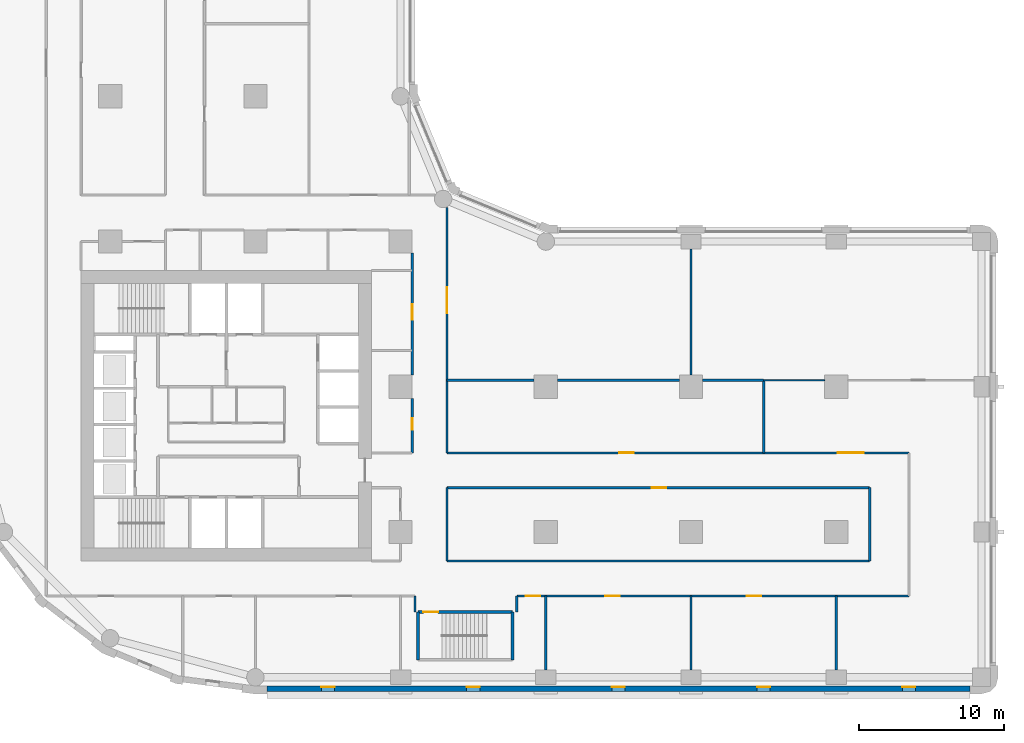
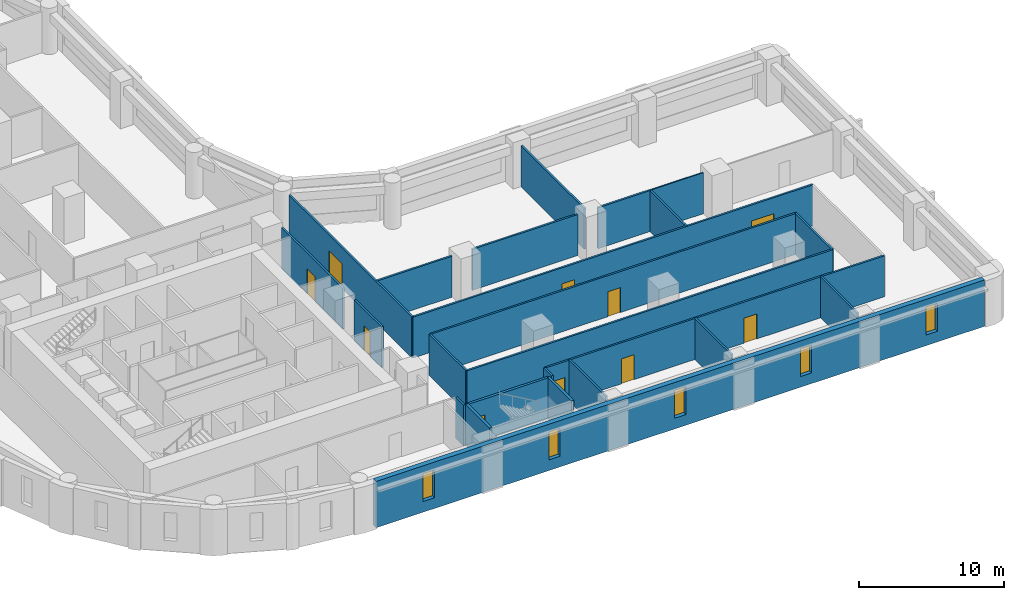
# One storey, part 4 of 10: 24 walls, 10 doors, 5 windows, 15 openings.
"""IFC4 building model written with IfcOpenShell, lengths in metres."""

from ifc_helpers import new_model, si_unit, direction, frame, frame_2d, origin, place, context, subcontext, project, spatial, rectangle, extrude, material, layer, layer_set, type_object, element, fill, save


model = new_model("IFC4")

# Units and contexts
model_context = context("Model", 3, precision=1e-05, world=origin(), true_north=direction((0.0, 1.0)))
body_context = subcontext(model_context, "Body", "Model", "MODEL_VIEW")
ifc_project = project(units=[si_unit("LENGTHUNIT", "METRE"), si_unit("AREAUNIT", "SQUARE_METRE"), si_unit("VOLUMEUNIT", "CUBIC_METRE"), si_unit("PLANEANGLEUNIT", "RADIAN"), si_unit("MASSUNIT", "GRAM", prefix="KILO")], contexts=[model_context])

# Site, building, storey
site_placement = place(None, origin())
site = spatial("IfcSite", under=ifc_project, at=site_placement, CompositionType="ELEMENT")
building_placement = place(site_placement, origin())
building = spatial("IfcBuilding", under=site, at=building_placement, Name="Qaws Garden Tower", CompositionType="ELEMENT")
storey_placement = place(building_placement, frame((0.0, 0.0, 113.39990234375)))
storey = spatial("IfcBuildingStorey", under=building, at=storey_placement, Name="L28", CompositionType="ELEMENT", Elevation=113.39990234375)

# Wall, openings, windows
ifc_material_1 = material(Name="Buff clay facing brick masonry", Category="masonry")
ifc_layer_1 = layer(ifc_material_1, 0.39990234375)
ifc_layer_set_1 = layer_set([ifc_layer_1], Name="Buff clay facing brick masonry")
wall_type_1 = type_object("IfcWallType", Name="Buff brick infill wall 400", PredefinedType="SOLIDWALL", material=ifc_layer_set_1)
wall_1_placement = place(storey_placement, frame((20.800048828125, -0.800048828125, 0.0), z_axis=(0.0, 0.0, 1.0), x_axis=(1.0, 0.0, 0.0)))
wall_1 = element("IfcWall", 1, at=wall_1_placement, inside=storey, type_object=wall_type_1, Name="E-L28-infill-00", PredefinedType="SOLIDWALL", context=body_context, shape_type="SweptSolid", body=[
    extrude(rectangle(XDim=48.39990234375, YDim=0.39990234375, at=frame_2d((24.199951171875, 0.0))), origin(), (0.0, 0.0, 1.0), 3.900146484375),
])
opening_1_placement = place(wall_1_placement, frame((3.75, 0.0, 0.89990234375)))
opening_1 = element("IfcOpeningElement", 2, at=opening_1_placement, cuts=wall_1, Name="Opening W09", PredefinedType="OPENING", context=body_context, shape_type="SweptSolid", body=[
    extrude(rectangle(XDim=0.89990234375, YDim=2.35009765625, at=frame_2d((0.449951171875, 1.175048828125))), frame((0.0, 0.2099609375, 0.0), z_axis=(0.0, -1.0, 0.0), x_axis=(1.0, 0.0, 0.0)), (0.0, 0.0, 1.0), 0.419921875),
])
opening_2_placement = place(wall_1_placement, frame((13.75, 0.0, 0.89990234375)))
opening_2 = element("IfcOpeningElement", 3, at=opening_2_placement, cuts=wall_1, Name="Opening W09", PredefinedType="OPENING", context=body_context, shape_type="SweptSolid", body=[
    extrude(rectangle(XDim=0.89990234375, YDim=2.35009765625, at=frame_2d((0.449951171875, 1.175048828125))), frame((0.0, 0.2099609375, 0.0), z_axis=(0.0, -1.0, 0.0), x_axis=(1.0, 0.0, 0.0)), (0.0, 0.0, 1.0), 0.419921875),
])
opening_3_placement = place(wall_1_placement, frame((23.75, 0.0, 0.89990234375)))
opening_3 = element("IfcOpeningElement", 4, at=opening_3_placement, cuts=wall_1, Name="Opening W09", PredefinedType="OPENING", context=body_context, shape_type="SweptSolid", body=[
    extrude(rectangle(XDim=0.89990234375, YDim=2.35009765625, at=frame_2d((0.449951171875, 1.175048828125))), frame((0.0, 0.2099609375, 0.0), z_axis=(0.0, -1.0, 0.0), x_axis=(1.0, 0.0, 0.0)), (0.0, 0.0, 1.0), 0.419921875),
])
opening_4_placement = place(wall_1_placement, frame((33.75, 0.0, 0.89990234375)))
opening_4 = element("IfcOpeningElement", 5, at=opening_4_placement, cuts=wall_1, Name="Opening W09", PredefinedType="OPENING", context=body_context, shape_type="SweptSolid", body=[
    extrude(rectangle(XDim=0.89990234375, YDim=2.35009765625, at=frame_2d((0.449951171875, 1.175048828125))), frame((0.0, 0.2099609375, 0.0), z_axis=(0.0, -1.0, 0.0), x_axis=(1.0, 0.0, 0.0)), (0.0, 0.0, 1.0), 0.419921875),
])
opening_5_placement = place(wall_1_placement, frame((43.75, 0.0, 0.89990234375)))
opening_5 = element("IfcOpeningElement", 6, at=opening_5_placement, cuts=wall_1, Name="Opening W09", PredefinedType="OPENING", context=body_context, shape_type="SweptSolid", body=[
    extrude(rectangle(XDim=0.89990234375, YDim=2.35009765625, at=frame_2d((0.449951171875, 1.175048828125))), frame((0.0, 0.2099609375, 0.0), z_axis=(0.0, -1.0, 0.0), x_axis=(1.0, 0.0, 0.0)), (0.0, 0.0, 1.0), 0.419921875),
])
ifc_material_2 = material(Name="Aluminium framed window, clear glazing", Category="aluminium")
window_type = type_object("IfcWindowType", Name="Slit window 900 x 2350", PartitioningType="SINGLE_PANEL", PredefinedType="WINDOW", material=ifc_material_2)
window_1_placement = place(opening_1_placement, origin())
window_1 = element("IfcWindow", 7, at=window_1_placement, inside=storey, type_object=window_type, Name="E-L28-window-00-0", OverallHeight=2.35009765625, OverallWidth=0.89990234375, PartitioningType="SINGLE_PANEL", PredefinedType="WINDOW", context=body_context, shape_type="SweptSolid", body=[
    extrude(rectangle(XDim=0.89990234375, YDim=2.35009765625, at=frame_2d((0.449951171875, 1.175048828125))), frame((0.0, 0.159912109375, 0.0), z_axis=(0.0, -1.0, 0.0), x_axis=(1.0, 0.0, 0.0)), (0.0, 0.0, 1.0), 0.06005859375),
])
fill(opening_1, window_1)
window_2_placement = place(opening_2_placement, origin())
window_2 = element("IfcWindow", 8, at=window_2_placement, inside=storey, type_object=window_type, Name="E-L28-window-01-0", OverallHeight=2.35009765625, OverallWidth=0.89990234375, PartitioningType="SINGLE_PANEL", PredefinedType="WINDOW", context=body_context, shape_type="SweptSolid", body=[
    extrude(rectangle(XDim=0.89990234375, YDim=2.35009765625, at=frame_2d((0.449951171875, 1.175048828125))), frame((0.0, 0.159912109375, 0.0), z_axis=(0.0, -1.0, 0.0), x_axis=(1.0, 0.0, 0.0)), (0.0, 0.0, 1.0), 0.06005859375),
])
fill(opening_2, window_2)
window_3_placement = place(opening_3_placement, origin())
window_3 = element("IfcWindow", 9, at=window_3_placement, inside=storey, type_object=window_type, Name="E-L28-window-02-0", OverallHeight=2.35009765625, OverallWidth=0.89990234375, PartitioningType="SINGLE_PANEL", PredefinedType="WINDOW", context=body_context, shape_type="SweptSolid", body=[
    extrude(rectangle(XDim=0.89990234375, YDim=2.35009765625, at=frame_2d((0.449951171875, 1.175048828125))), frame((0.0, 0.159912109375, 0.0), z_axis=(0.0, -1.0, 0.0), x_axis=(1.0, 0.0, 0.0)), (0.0, 0.0, 1.0), 0.06005859375),
])
fill(opening_3, window_3)
window_4_placement = place(opening_4_placement, origin())
window_4 = element("IfcWindow", 10, at=window_4_placement, inside=storey, type_object=window_type, Name="E-L28-window-03-0", OverallHeight=2.35009765625, OverallWidth=0.89990234375, PartitioningType="SINGLE_PANEL", PredefinedType="WINDOW", context=body_context, shape_type="SweptSolid", body=[
    extrude(rectangle(XDim=0.89990234375, YDim=2.35009765625, at=frame_2d((0.449951171875, 1.175048828125))), frame((0.0, 0.159912109375, 0.0), z_axis=(0.0, -1.0, 0.0), x_axis=(1.0, 0.0, 0.0)), (0.0, 0.0, 1.0), 0.06005859375),
])
fill(opening_4, window_4)
window_5_placement = place(opening_5_placement, origin())
window_5 = element("IfcWindow", 11, at=window_5_placement, inside=storey, type_object=window_type, Name="E-L28-window-04-0", OverallHeight=2.35009765625, OverallWidth=0.89990234375, PartitioningType="SINGLE_PANEL", PredefinedType="WINDOW", context=body_context, shape_type="SweptSolid", body=[
    extrude(rectangle(XDim=0.89990234375, YDim=2.35009765625, at=frame_2d((0.449951171875, 1.175048828125))), frame((0.0, 0.159912109375, 0.0), z_axis=(0.0, -1.0, 0.0), x_axis=(1.0, 0.0, 0.0)), (0.0, 0.0, 1.0), 0.06005859375),
])
fill(opening_5, window_5)

# Wall, opening, door
ifc_material_3 = material(Name="Concrete C80", Category="concrete")
ifc_layer_2 = layer(ifc_material_3, 0.199951171875)
ifc_layer_set_2 = layer_set([ifc_layer_2], Name="Concrete C80")
wall_type_2 = type_object("IfcWallType", Name="Core shaft wall 200 C80", PredefinedType="SHEAR", material=ifc_layer_set_2)
wall_2_placement = place(storey_placement, frame((31.199951171875, 4.5, 0.0), z_axis=(0.0, 0.0, 1.0), x_axis=(1.0, 0.0, 0.0)))
wall_2 = element("IfcWall", 12, at=wall_2_placement, inside=storey, type_object=wall_type_2, Name="Shaft wall", PredefinedType="SHEAR", context=body_context, shape_type="SweptSolid", body=[
    extrude(rectangle(XDim=6.5, YDim=0.199951171875, at=frame_2d((3.25, 0.0))), origin(), (0.0, 0.0, 1.0), 3.4501953125),
])
opening_6_placement = place(wall_2_placement, frame((0.375, 0.0, 0.0)))
opening_6 = element("IfcOpeningElement", 13, at=opening_6_placement, cuts=wall_2, Name="Opening SD12", PredefinedType="OPENING", context=body_context, shape_type="SweptSolid", body=[
    extrude(rectangle(XDim=1.0, YDim=2.10009765625, at=frame_2d((0.5, 1.050048828125))), frame((0.0, 0.10986328125, 0.0), z_axis=(0.0, -1.0, 0.0), x_axis=(1.0, 0.0, 0.0)), (0.0, 0.0, 1.0), 0.219970703125),
])
ifc_material_4 = material(Name="Steel S235", Category="steel")
door_type_1 = type_object("IfcDoorType", Name="Stair door 1000x2100", OperationType="SINGLE_SWING_RIGHT", PredefinedType="DOOR", material=ifc_material_4)
door_1_placement = place(opening_6_placement, frame((1.0, 0.0, 0.0), z_axis=(0.0, 0.0, 1.0), x_axis=(-1.0, 0.0, 0.0)))
door_1 = element("IfcDoor", 14, at=door_1_placement, inside=storey, type_object=door_type_1, Name="Stair 5 door", OperationType="SINGLE_SWING_RIGHT", OverallHeight=2.10009765625, OverallWidth=1.0, PredefinedType="DOOR", context=body_context, shape_type="SweptSolid", body=[
    extrude(rectangle(XDim=1.0, YDim=2.10009765625, at=frame_2d((0.5, 1.050048828125))), frame((0.0, 0.02490234375, 0.0), z_axis=(0.0, -1.0, 0.0), x_axis=(1.0, 0.0, 0.0)), (0.0, 0.0, 1.0), 0.050048828125),
])
fill(opening_6, door_1)

# Walls
for number, where, z_axis, x_axis, name in (
    (15, (31.199951171875, 1.199951171875, 0.0), (0.0, 0.0, 1.0), (0.0, 1.0, 0.0), "Shaft wall"),
    (16, (37.699951171875, 1.199951171875, 0.0), (0.0, 0.0, 1.0), (0.0, 1.0, 0.0), "Shaft wall"),
):
    element("IfcWall", number, at=place(storey_placement, frame(where, z_axis=z_axis, x_axis=x_axis)), inside=storey, type_object=wall_type_2, Name=name, PredefinedType="SHEAR", context=body_context, shape_type="SweptSolid", body=[
        extrude(rectangle(XDim=3.300048828125, YDim=0.199951171875, at=frame_2d((1.64990234375, 0.0))), origin(), (0.0, 0.0, 1.0), 3.4501953125),
    ])
ifc_material_5 = material(Name="Gypsum board partition")
ifc_layer_3 = layer(ifc_material_5, 0.10009765625)
ifc_layer_set_3 = layer_set([ifc_layer_3], Name="Gypsum board partition")
wall_type_3 = type_object("IfcWallType", Name="PARTITION 100", PredefinedType="PARTITIONING", material=ifc_layer_set_3)
wall_3_placement = place(storey_placement, frame((55.0, 20.449951171875, 0.0), z_axis=(0.0, 0.0, 1.0), x_axis=(1.0, 0.0, 0.0)))
element("IfcWall", 17, at=wall_3_placement, inside=storey, type_object=wall_type_3, Name="O-L28-wall-002", PredefinedType="PARTITIONING", context=body_context, shape_type="SweptSolid", body=[
    extrude(rectangle(XDim=4.199951171875, YDim=0.10009765625, at=frame_2d((2.10009765625, 0.0))), origin(), (0.0, 0.0, 1.0), 3.4501953125),
])

# Wall, opening, door
ifc_material_6 = material(Name="Gypsum board partition")
ifc_layer_4 = layer(ifc_material_6, 0.14990234375)
ifc_layer_set_4 = layer_set([ifc_layer_4], Name="Gypsum board partition")
wall_type_4 = type_object("IfcWallType", Name="PARTITION 150 EI 60", PredefinedType="PARTITIONING", material=ifc_layer_set_4)
wall_4_placement = place(storey_placement, frame((30.800048828125, 15.449951171875, 0.0), z_axis=(0.0, 0.0, 1.0), x_axis=(0.0, 1.0, 0.0)))
wall_4 = element("IfcWall", 18, at=wall_4_placement, inside=storey, type_object=wall_type_4, Name="O-L28-wall-023", PredefinedType="PARTITIONING", context=body_context, shape_type="SweptSolid", body=[
    extrude(rectangle(XDim=3.75, YDim=0.14990234375, at=frame_2d((1.875, 0.0))), origin(), (0.0, 0.0, 1.0), 3.4501953125),
])
opening_7_placement = place(wall_4_placement, frame((1.60009765625, 0.0, 0.0)))
opening_7 = element("IfcOpeningElement", 19, at=opening_7_placement, cuts=wall_4, Name="Opening A905", PredefinedType="OPENING", context=body_context, shape_type="SweptSolid", body=[
    extrude(rectangle(XDim=0.800048828125, YDim=2.10009765625, at=frame_2d((0.39990234375, 1.050048828125))), frame((0.0, 0.0849609375, 0.0), z_axis=(0.0, -1.0, 0.0), x_axis=(1.0, 0.0, 0.0)), (0.0, 0.0, 1.0), 0.169921875),
])
ifc_material_7 = material(Name="Timber door leaf", Category="wood")
door_type_2 = type_object("IfcDoorType", Name="STORE DOOR 800 X 2100", OperationType="SINGLE_SWING_LEFT", PredefinedType="DOOR", material=ifc_material_7)
door_2_placement = place(opening_7_placement, origin())
door_2 = element("IfcDoor", 20, at=door_2_placement, inside=storey, type_object=door_type_2, Name="O-L28-door-005", OperationType="SINGLE_SWING_RIGHT", OverallHeight=2.10009765625, OverallWidth=0.800048828125, PredefinedType="DOOR", context=body_context, shape_type="SweptSolid", body=[
    extrude(rectangle(XDim=0.800048828125, YDim=2.10009765625, at=frame_2d((0.39990234375, 1.050048828125))), frame((0.0, 0.02490234375, 0.0), z_axis=(0.0, -1.0, 0.0), x_axis=(1.0, 0.0, 0.0)), (0.0, 0.0, 1.0), 0.050048828125),
])
fill(opening_7, door_2)

wall_5_placement = place(storey_placement, frame((30.800048828125, 20.800048828125, 0.0), z_axis=(0.0, 0.0, 1.0), x_axis=(0.0, 1.0, 0.0)))
wall_5 = element("IfcWall", 21, at=wall_5_placement, inside=storey, type_object=wall_type_4, Name="O-L28-wall-024", PredefinedType="PARTITIONING", context=body_context, shape_type="SweptSolid", body=[
    extrude(rectangle(XDim=8.39990234375, YDim=0.14990234375, at=frame_2d((4.199951171875, 0.0))), origin(), (0.0, 0.0, 1.0), 3.4501953125),
])
opening_8_placement = place(wall_5_placement, frame((3.800048828125, 0.0, 0.0)))
opening_8 = element("IfcOpeningElement", 22, at=opening_8_placement, cuts=wall_5, Name="Opening A906", PredefinedType="OPENING", context=body_context, shape_type="SweptSolid", body=[
    extrude(rectangle(XDim=1.10009765625, YDim=2.10009765625, at=frame_2d((0.550048828125, 1.050048828125))), frame((0.0, 0.0849609375, 0.0), z_axis=(0.0, -1.0, 0.0), x_axis=(1.0, 0.0, 0.0)), (0.0, 0.0, 1.0), 0.169921875),
])
ifc_material_8 = material(Name="Timber door leaf", Category="wood")
door_type_3 = type_object("IfcDoorType", Name="SERVICE ROOM DOOR 1100 X 2100", OperationType="SINGLE_SWING_LEFT", PredefinedType="DOOR", material=ifc_material_8)
door_3_placement = place(opening_8_placement, origin())
door_3 = element("IfcDoor", 23, at=door_3_placement, inside=storey, type_object=door_type_3, Name="O-L28-door-006", OperationType="SINGLE_SWING_RIGHT", OverallHeight=2.10009765625, OverallWidth=1.10009765625, PredefinedType="DOOR", context=body_context, shape_type="SweptSolid", body=[
    extrude(rectangle(XDim=1.10009765625, YDim=2.10009765625, at=frame_2d((0.550048828125, 1.050048828125))), frame((0.0, 0.02490234375, 0.0), z_axis=(0.0, -1.0, 0.0), x_axis=(1.0, 0.0, 0.0)), (0.0, 0.0, 1.0), 0.050048828125),
])
fill(opening_8, door_3)

# Walls
wall_6_placement = place(storey_placement, frame((31.0, 4.5, 0.0), z_axis=(0.0, 0.0, 1.0), x_axis=(0.0, 1.0, 0.0)))
element("IfcWall", 24, at=wall_6_placement, inside=storey, type_object=wall_type_4, Name="O-L28-wall-025", PredefinedType="PARTITIONING", context=body_context, shape_type="SweptSolid", body=[
    extrude(rectangle(XDim=1.10009765625, YDim=0.14990234375, at=frame_2d((0.550048828125, 0.0))), origin(), (0.0, 0.0, 1.0), 3.4501953125),
])
wall_7_placement = place(storey_placement, frame((33.199951171875, 8.0, 0.0), z_axis=(0.0, 0.0, 1.0), x_axis=(0.0, 1.0, 0.0)))
element("IfcWall", 25, at=wall_7_placement, inside=storey, type_object=wall_type_4, Name="O-L28-wall-026", PredefinedType="PARTITIONING", context=body_context, shape_type="SweptSolid", body=[
    extrude(rectangle(XDim=5.050048828125, YDim=0.14990234375, at=frame_2d((2.52490234375, 0.0))), origin(), (0.0, 0.0, 1.0), 3.4501953125),
])

# Wall, opening, door
wall_8_placement = place(storey_placement, frame((33.199951171875, 15.449951171875, 0.0), z_axis=(0.0, 0.0, 1.0), x_axis=(0.0, 1.0, 0.0)))
wall_8 = element("IfcWall", 26, at=wall_8_placement, inside=storey, type_object=wall_type_4, Name="O-L28-wall-027", PredefinedType="PARTITIONING", context=body_context, shape_type="SweptSolid", body=[
    extrude(rectangle(XDim=16.912109375, YDim=0.14990234375, at=frame_2d((8.4560546875, 0.0))), origin(), (0.0, 0.0, 1.0), 3.4501953125),
])
opening_9_placement = place(wall_8_placement, frame((9.60009765625, 0.0, 0.0)))
opening_9 = element("IfcOpeningElement", 27, at=opening_9_placement, cuts=wall_8, Name="Opening A903", PredefinedType="OPENING", context=body_context, shape_type="SweptSolid", body=[
    extrude(rectangle(XDim=1.800048828125, YDim=2.10009765625, at=frame_2d((0.89990234375, 1.050048828125))), frame((0.0, 0.0849609375, 0.0), z_axis=(0.0, -1.0, 0.0), x_axis=(1.0, 0.0, 0.0)), (0.0, 0.0, 1.0), 0.169921875),
])
ifc_material_9 = material(Name="Timber door leaf", Category="wood")
door_type_4 = type_object("IfcDoorType", Name="DOUBLE DOOR 1800 X 2100", OperationType="DOUBLE_DOOR_SINGLE_SWING", PredefinedType="DOOR", material=ifc_material_9)
door_4_placement = place(opening_9_placement, frame((1.800048828125, 0.0, 0.0), z_axis=(0.0, 0.0, 1.0), x_axis=(-1.0, 0.0, 0.0)))
door_4 = element("IfcDoor", 28, at=door_4_placement, inside=storey, type_object=door_type_4, Name="O-L28-door-003", OperationType="DOUBLE_DOOR_SINGLE_SWING", OverallHeight=2.10009765625, OverallWidth=1.800048828125, PredefinedType="DOOR", context=body_context, shape_type="SweptSolid", body=[
    extrude(rectangle(XDim=1.800048828125, YDim=2.10009765625, at=frame_2d((0.89990234375, 1.050048828125))), frame((0.0, 0.02490234375, 0.0), z_axis=(0.0, -1.0, 0.0), x_axis=(1.0, 0.0, 0.0)), (0.0, 0.0, 1.0), 0.050048828125),
])
fill(opening_9, door_4)

# Walls
wall_9_placement = place(storey_placement, frame((38.0, 4.5, 0.0), z_axis=(0.0, 0.0, 1.0), x_axis=(0.0, 1.0, 0.0)))
element("IfcWall", 29, at=wall_9_placement, inside=storey, type_object=wall_type_4, Name="O-L28-wall-028", PredefinedType="PARTITIONING", context=body_context, shape_type="SweptSolid", body=[
    extrude(rectangle(XDim=1.10009765625, YDim=0.14990234375, at=frame_2d((0.550048828125, 0.0))), origin(), (0.0, 0.0, 1.0), 3.4501953125),
])
for number, where, z_axis, x_axis, name in (
    (30, (40.0, 0.5, 0.0), (0.0, 0.0, 1.0), (0.0, 1.0, 0.0), "O-L28-wall-029"),
    (31, (50.0, 0.5, 0.0), (0.0, 0.0, 1.0), (0.0, 1.0, 0.0), "O-L28-wall-030"),
):
    element("IfcWall", number, at=place(storey_placement, frame(where, z_axis=z_axis, x_axis=x_axis)), inside=storey, type_object=wall_type_4, Name=name, PredefinedType="PARTITIONING", context=body_context, shape_type="SweptSolid", body=[
        extrude(rectangle(XDim=5.10009765625, YDim=0.14990234375, at=frame_2d((2.550048828125, 0.0))), origin(), (0.0, 0.0, 1.0), 3.4501953125),
    ])
wall_10_placement = place(storey_placement, frame((50.0, 20.800048828125, 0.0), z_axis=(0.0, 0.0, 1.0), x_axis=(0.0, 1.0, 0.0)))
element("IfcWall", 32, at=wall_10_placement, inside=storey, type_object=wall_type_4, Name="O-L28-wall-031", PredefinedType="PARTITIONING", context=body_context, shape_type="SweptSolid", body=[
    extrude(rectangle(XDim=8.699951171875, YDim=0.14990234375, at=frame_2d((4.35009765625, 0.0))), origin(), (0.0, 0.0, 1.0), 3.4501953125),
])
wall_11_placement = place(storey_placement, frame((55.0, 15.449951171875, 0.0), z_axis=(0.0, 0.0, 1.0), x_axis=(0.0, 1.0, 0.0)))
element("IfcWall", 33, at=wall_11_placement, inside=storey, type_object=wall_type_4, Name="O-L28-wall-032", PredefinedType="PARTITIONING", context=body_context, shape_type="SweptSolid", body=[
    extrude(rectangle(XDim=5.0, YDim=0.14990234375, at=frame_2d((2.5, 0.0))), origin(), (0.0, 0.0, 1.0), 3.4501953125),
])
wall_12_placement = place(storey_placement, frame((60.0, 0.5, 0.0), z_axis=(0.0, 0.0, 1.0), x_axis=(0.0, 1.0, 0.0)))
element("IfcWall", 34, at=wall_12_placement, inside=storey, type_object=wall_type_4, Name="O-L28-wall-033", PredefinedType="PARTITIONING", context=body_context, shape_type="SweptSolid", body=[
    extrude(rectangle(XDim=5.10009765625, YDim=0.14990234375, at=frame_2d((2.550048828125, 0.0))), origin(), (0.0, 0.0, 1.0), 3.4501953125),
])
wall_13_placement = place(storey_placement, frame((62.300048828125, 8.0, 0.0), z_axis=(0.0, 0.0, 1.0), x_axis=(0.0, 1.0, 0.0)))
element("IfcWall", 35, at=wall_13_placement, inside=storey, type_object=wall_type_4, Name="O-L28-wall-034", PredefinedType="PARTITIONING", context=body_context, shape_type="SweptSolid", body=[
    extrude(rectangle(XDim=5.050048828125, YDim=0.14990234375, at=frame_2d((2.52490234375, 0.0))), origin(), (0.0, 0.0, 1.0), 3.4501953125),
])

# Wall, openings, doors
wall_14_placement = place(storey_placement, frame((38.0, 5.60009765625, 0.0), z_axis=(0.0, 0.0, 1.0), x_axis=(1.0, 0.0, 0.0)))
wall_14 = element("IfcWall", 36, at=wall_14_placement, inside=storey, type_object=wall_type_4, Name="O-L28-wall-037", PredefinedType="PARTITIONING", context=body_context, shape_type="SweptSolid", body=[
    extrude(rectangle(XDim=27.0, YDim=0.14990234375, at=frame_2d((13.5, 0.0))), origin(), (0.0, 0.0, 1.0), 3.4501953125),
])
opening_10_placement = place(wall_14_placement, frame((0.60009765625, 0.0, 0.0)))
opening_10 = element("IfcOpeningElement", 37, at=opening_10_placement, cuts=wall_14, Name="Opening A921", PredefinedType="OPENING", context=body_context, shape_type="SweptSolid", body=[
    extrude(rectangle(XDim=1.0, YDim=2.10009765625, at=frame_2d((0.5, 1.050048828125))), frame((0.0, 0.0849609375, 0.0), z_axis=(0.0, -1.0, 0.0), x_axis=(1.0, 0.0, 0.0)), (0.0, 0.0, 1.0), 0.169921875),
])
opening_11_placement = place(wall_14_placement, frame((6.10009765625, 0.0, 0.0)))
opening_11 = element("IfcOpeningElement", 38, at=opening_11_placement, cuts=wall_14, Name="Opening A922", PredefinedType="OPENING", context=body_context, shape_type="SweptSolid", body=[
    extrude(rectangle(XDim=1.0, YDim=2.10009765625, at=frame_2d((0.5, 1.050048828125))), frame((0.0, 0.0849609375, 0.0), z_axis=(0.0, -1.0, 0.0), x_axis=(1.0, 0.0, 0.0)), (0.0, 0.0, 1.0), 0.169921875),
])
opening_12_placement = place(wall_14_placement, frame((15.85009765625, 0.0, 0.0)))
opening_12 = element("IfcOpeningElement", 39, at=opening_12_placement, cuts=wall_14, Name="Opening A923", PredefinedType="OPENING", context=body_context, shape_type="SweptSolid", body=[
    extrude(rectangle(XDim=1.0, YDim=2.10009765625, at=frame_2d((0.5, 1.050048828125))), frame((0.0, 0.0849609375, 0.0), z_axis=(0.0, -1.0, 0.0), x_axis=(1.0, 0.0, 0.0)), (0.0, 0.0, 1.0), 0.169921875),
])
ifc_material_10 = material(Name="Timber door leaf", Category="wood")
door_type_5 = type_object("IfcDoorType", Name="TENANCY ENTRANCE DOOR 1000 X 2100", OperationType="SINGLE_SWING_LEFT", PredefinedType="DOOR", material=ifc_material_10)
door_5_placement = place(opening_10_placement, frame((1.0, 0.0, 0.0), z_axis=(0.0, 0.0, 1.0), x_axis=(-1.0, 0.0, 0.0)))
door_5 = element("IfcDoor", 40, at=door_5_placement, inside=storey, type_object=door_type_5, Name="O-L28-door-021", OperationType="SINGLE_SWING_LEFT", OverallHeight=2.10009765625, OverallWidth=1.0, PredefinedType="DOOR", context=body_context, shape_type="SweptSolid", body=[
    extrude(rectangle(XDim=1.0, YDim=2.10009765625, at=frame_2d((0.5, 1.050048828125))), frame((0.0, 0.02490234375, 0.0), z_axis=(0.0, -1.0, 0.0), x_axis=(1.0, 0.0, 0.0)), (0.0, 0.0, 1.0), 0.050048828125),
])
fill(opening_10, door_5)
door_6_placement = place(opening_11_placement, frame((1.0, 0.0, 0.0), z_axis=(0.0, 0.0, 1.0), x_axis=(-1.0, 0.0, 0.0)))
door_6 = element("IfcDoor", 41, at=door_6_placement, inside=storey, type_object=door_type_5, Name="O-L28-door-022", OperationType="SINGLE_SWING_RIGHT", OverallHeight=2.10009765625, OverallWidth=1.0, PredefinedType="DOOR", context=body_context, shape_type="SweptSolid", body=[
    extrude(rectangle(XDim=1.0, YDim=2.10009765625, at=frame_2d((0.5, 1.050048828125))), frame((0.0, 0.02490234375, 0.0), z_axis=(0.0, -1.0, 0.0), x_axis=(1.0, 0.0, 0.0)), (0.0, 0.0, 1.0), 0.050048828125),
])
fill(opening_11, door_6)
door_7_placement = place(opening_12_placement, frame((1.0, 0.0, 0.0), z_axis=(0.0, 0.0, 1.0), x_axis=(-1.0, 0.0, 0.0)))
door_7 = element("IfcDoor", 42, at=door_7_placement, inside=storey, type_object=door_type_5, Name="O-L28-door-023", OperationType="SINGLE_SWING_RIGHT", OverallHeight=2.10009765625, OverallWidth=1.0, PredefinedType="DOOR", context=body_context, shape_type="SweptSolid", body=[
    extrude(rectangle(XDim=1.0, YDim=2.10009765625, at=frame_2d((0.5, 1.050048828125))), frame((0.0, 0.02490234375, 0.0), z_axis=(0.0, -1.0, 0.0), x_axis=(1.0, 0.0, 0.0)), (0.0, 0.0, 1.0), 0.050048828125),
])
fill(opening_12, door_7)

# Wall
wall_15_placement = place(storey_placement, frame((33.199951171875, 8.0, 0.0), z_axis=(0.0, 0.0, 1.0), x_axis=(1.0, 0.0, 0.0)))
element("IfcWall", 43, at=wall_15_placement, inside=storey, type_object=wall_type_4, Name="O-L28-wall-039", PredefinedType="PARTITIONING", context=body_context, shape_type="SweptSolid", body=[
    extrude(rectangle(XDim=29.10009765625, YDim=0.14990234375, at=frame_2d((14.550048828125, 0.0))), origin(), (0.0, 0.0, 1.0), 3.4501953125),
])

# Wall, opening, door
wall_16_placement = place(storey_placement, frame((33.199951171875, 13.050048828125, 0.0), z_axis=(0.0, 0.0, 1.0), x_axis=(1.0, 0.0, 0.0)))
wall_16 = element("IfcWall", 44, at=wall_16_placement, inside=storey, type_object=wall_type_4, Name="O-L28-wall-041", PredefinedType="PARTITIONING", context=body_context, shape_type="SweptSolid", body=[
    extrude(rectangle(XDim=29.10009765625, YDim=0.14990234375, at=frame_2d((14.550048828125, 0.0))), origin(), (0.0, 0.0, 1.0), 3.4501953125),
])
opening_13_placement = place(wall_16_placement, frame((14.10009765625, 0.0, 0.0)))
opening_13 = element("IfcOpeningElement", 45, at=opening_13_placement, cuts=wall_16, Name="Opening A924", PredefinedType="OPENING", context=body_context, shape_type="SweptSolid", body=[
    extrude(rectangle(XDim=1.0, YDim=2.10009765625, at=frame_2d((0.5, 1.050048828125))), frame((0.0, 0.0849609375, 0.0), z_axis=(0.0, -1.0, 0.0), x_axis=(1.0, 0.0, 0.0)), (0.0, 0.0, 1.0), 0.169921875),
])
door_8_placement = place(opening_13_placement, frame((1.0, 0.0, 0.0), z_axis=(0.0, 0.0, 1.0), x_axis=(-1.0, 0.0, 0.0)))
door_8 = element("IfcDoor", 46, at=door_8_placement, inside=storey, type_object=door_type_5, Name="O-L28-door-024", OperationType="SINGLE_SWING_RIGHT", OverallHeight=2.10009765625, OverallWidth=1.0, PredefinedType="DOOR", context=body_context, shape_type="SweptSolid", body=[
    extrude(rectangle(XDim=1.0, YDim=2.10009765625, at=frame_2d((0.5, 1.050048828125))), frame((0.0, 0.02490234375, 0.0), z_axis=(0.0, -1.0, 0.0), x_axis=(1.0, 0.0, 0.0)), (0.0, 0.0, 1.0), 0.050048828125),
])
fill(opening_13, door_8)

# Wall, openings, doors
wall_17_placement = place(storey_placement, frame((33.199951171875, 15.449951171875, 0.0), z_axis=(0.0, 0.0, 1.0), x_axis=(1.0, 0.0, 0.0)))
wall_17 = element("IfcWall", 47, at=wall_17_placement, inside=storey, type_object=wall_type_4, Name="O-L28-wall-043", PredefinedType="PARTITIONING", context=body_context, shape_type="SweptSolid", body=[
    extrude(rectangle(XDim=31.800048828125, YDim=0.14990234375, at=frame_2d((15.89990234375, 0.0))), origin(), (0.0, 0.0, 1.0), 3.4501953125),
])
opening_14_placement = place(wall_17_placement, frame((11.85009765625, 0.0, 0.0)))
opening_14 = element("IfcOpeningElement", 48, at=opening_14_placement, cuts=wall_17, Name="Opening A925", PredefinedType="OPENING", context=body_context, shape_type="SweptSolid", body=[
    extrude(rectangle(XDim=1.0, YDim=2.10009765625, at=frame_2d((0.5, 1.050048828125))), frame((0.0, 0.0849609375, 0.0), z_axis=(0.0, -1.0, 0.0), x_axis=(1.0, 0.0, 0.0)), (0.0, 0.0, 1.0), 0.169921875),
])
opening_15_placement = place(wall_17_placement, frame((26.89990234375, 0.0, 0.0)))
opening_15 = element("IfcOpeningElement", 49, at=opening_15_placement, cuts=wall_17, Name="Opening A926", PredefinedType="OPENING", context=body_context, shape_type="SweptSolid", body=[
    extrude(rectangle(XDim=1.800048828125, YDim=2.10009765625, at=frame_2d((0.89990234375, 1.050048828125))), frame((0.0, 0.0849609375, 0.0), z_axis=(0.0, -1.0, 0.0), x_axis=(1.0, 0.0, 0.0)), (0.0, 0.0, 1.0), 0.169921875),
])
door_9_placement = place(opening_15_placement, origin())
door_9 = element("IfcDoor", 50, at=door_9_placement, inside=storey, type_object=door_type_4, Name="O-L28-door-026", OperationType="DOUBLE_DOOR_SINGLE_SWING", OverallHeight=2.10009765625, OverallWidth=1.800048828125, PredefinedType="DOOR", context=body_context, shape_type="SweptSolid", body=[
    extrude(rectangle(XDim=1.800048828125, YDim=2.10009765625, at=frame_2d((0.89990234375, 1.050048828125))), frame((0.0, 0.02490234375, 0.0), z_axis=(0.0, -1.0, 0.0), x_axis=(1.0, 0.0, 0.0)), (0.0, 0.0, 1.0), 0.050048828125),
])
fill(opening_15, door_9)
door_10_placement = place(opening_14_placement, origin())
door_10 = element("IfcDoor", 51, at=door_10_placement, inside=storey, type_object=door_type_5, Name="O-L28-door-025", OperationType="SINGLE_SWING_LEFT", OverallHeight=2.10009765625, OverallWidth=1.0, PredefinedType="DOOR", context=body_context, shape_type="SweptSolid", body=[
    extrude(rectangle(XDim=1.0, YDim=2.10009765625, at=frame_2d((0.5, 1.050048828125))), frame((0.0, 0.02490234375, 0.0), z_axis=(0.0, -1.0, 0.0), x_axis=(1.0, 0.0, 0.0)), (0.0, 0.0, 1.0), 0.050048828125),
])
fill(opening_14, door_10)

# Walls
wall_18_placement = place(storey_placement, frame((33.199951171875, 20.449951171875, 0.0), z_axis=(0.0, 0.0, 1.0), x_axis=(1.0, 0.0, 0.0)))
element("IfcWall", 52, at=wall_18_placement, inside=storey, type_object=wall_type_4, Name="O-L28-wall-044", PredefinedType="PARTITIONING", context=body_context, shape_type="SweptSolid", body=[
    extrude(rectangle(XDim=6.0, YDim=0.14990234375, at=frame_2d((3.0, 0.0))), origin(), (0.0, 0.0, 1.0), 3.4501953125),
])
wall_19_placement = place(storey_placement, frame((40.800048828125, 20.449951171875, 0.0), z_axis=(0.0, 0.0, 1.0), x_axis=(1.0, 0.0, 0.0)))
element("IfcWall", 53, at=wall_19_placement, inside=storey, type_object=wall_type_4, Name="O-L28-wall-045", PredefinedType="PARTITIONING", context=body_context, shape_type="SweptSolid", body=[
    extrude(rectangle(XDim=8.39990234375, YDim=0.14990234375, at=frame_2d((4.199951171875, 0.0))), origin(), (0.0, 0.0, 1.0), 3.4501953125),
])
wall_20_placement = place(storey_placement, frame((50.800048828125, 20.449951171875, 0.0), z_axis=(0.0, 0.0, 1.0), x_axis=(1.0, 0.0, 0.0)))
element("IfcWall", 54, at=wall_20_placement, inside=storey, type_object=wall_type_4, Name="O-L28-wall-046", PredefinedType="PARTITIONING", context=body_context, shape_type="SweptSolid", body=[
    extrude(rectangle(XDim=4.199951171875, YDim=0.14990234375, at=frame_2d((2.10009765625, 0.0))), origin(), (0.0, 0.0, 1.0), 3.4501953125),
])

save(model, "model.ifc")
